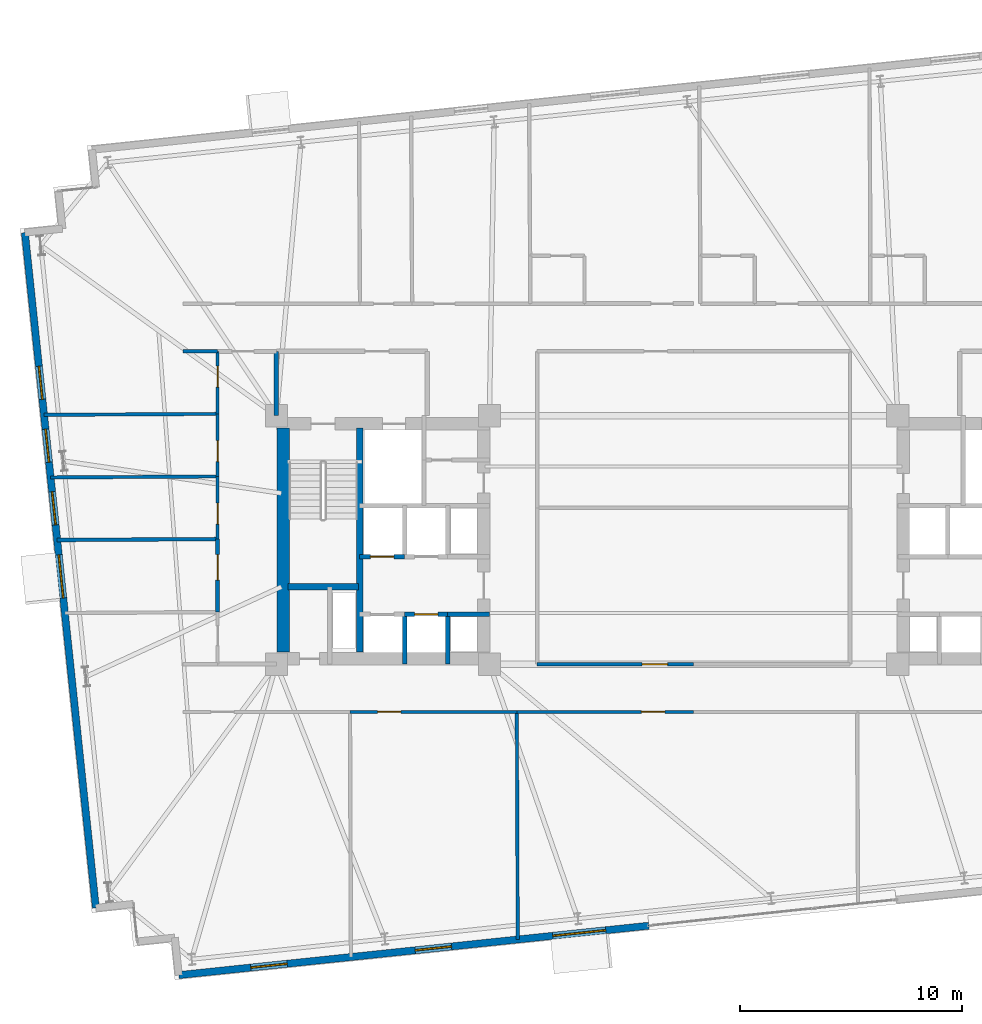
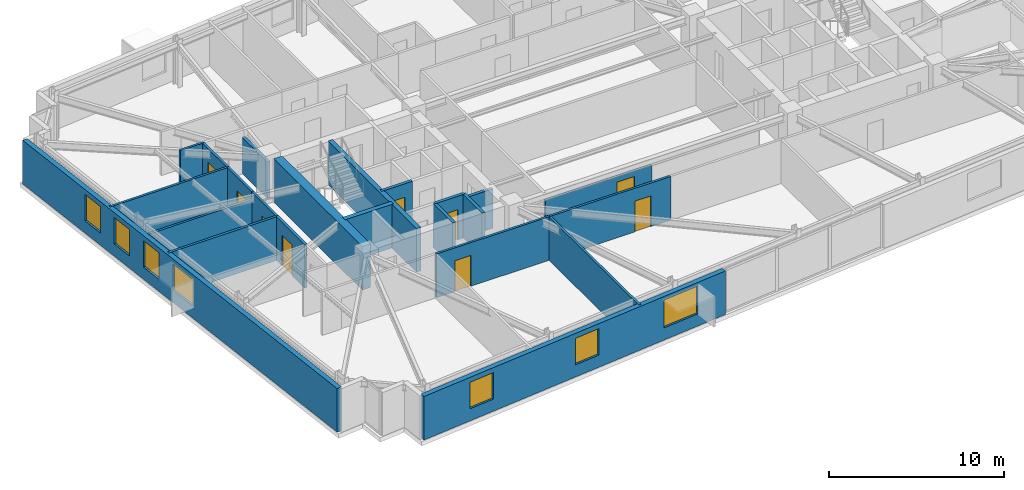
# One storey, part 16 of 23: 23 walls, 9 doors, 7 windows, 16 openings.
"""IFC4 building model written with IfcOpenShell, lengths in metres."""

from ifc_helpers import new_model, si_unit, direction, frame, frame_2d, origin, place, context, subcontext, project, spatial, rectangle, extrude, material, layer, layer_set, type_object, element, fill, save


model = new_model("IFC4")

# Units and contexts
model_context = context("Model", 3, precision=1e-05, world=origin(), true_north=direction((0.0, 1.0)))
body_context = subcontext(model_context, "Body", "Model", "MODEL_VIEW")
ifc_project = project(units=[si_unit("LENGTHUNIT", "METRE"), si_unit("AREAUNIT", "SQUARE_METRE"), si_unit("VOLUMEUNIT", "CUBIC_METRE"), si_unit("PLANEANGLEUNIT", "RADIAN"), si_unit("MASSUNIT", "GRAM", prefix="KILO")], contexts=[model_context])

# Site, building, storey
site_placement = place(None, origin())
site = spatial("IfcSite", under=ifc_project, at=site_placement, CompositionType="ELEMENT")
building_placement = place(site_placement, origin())
building = spatial("IfcBuilding", under=site, at=building_placement, Name="Qobustan Lattice House", CompositionType="ELEMENT")
storey_placement = place(building_placement, frame((0.0, 0.0, 102.449951171875)))
storey = spatial("IfcBuildingStorey", under=building, at=storey_placement, Name="L28", CompositionType="ELEMENT", Elevation=102.449951171875)

# Walls
ifc_material_1 = material(Name="Concrete C60/75", Category="concrete")
ifc_layer_1 = layer(ifc_material_1, 0.56005859375)
ifc_layer_set_1 = layer_set([ifc_layer_1], Name="Concrete C60/75")
wall_type_1 = type_object("IfcWallType", Name="WAL-CORE-600", PredefinedType="SHEAR", material=ifc_layer_set_1)
wall_1_placement = place(storey_placement, frame((-18.489990234375, -5.050048828125, 0.0), z_axis=(0.0, 0.0, 1.0), x_axis=(0.0, 1.0, 0.0)))
element("IfcWall", 1, at=wall_1_placement, inside=storey, type_object=wall_type_1, Name="L28 split-core shear wall CW-W", PredefinedType="SHEAR", context=body_context, shape_type="SweptSolid", body=[
    extrude(rectangle(XDim=10.10009765625, YDim=0.56005859375, at=frame_2d((5.050048828125, 0.0))), origin(), (0.0, 0.0, 1.0), 3.045166015625),
])
ifc_material_2 = material(Name="Concrete C50/60", Category="concrete")
ifc_layer_2 = layer(ifc_material_2, 0.280029296875)
ifc_layer_set_2 = layer_set([ifc_layer_2], Name="Concrete C50/60")
wall_type_2 = type_object("IfcWallType", Name="WAL-CORE-SPINE-280", PredefinedType="SHEAR", material=ifc_layer_set_2)
wall_2_placement = place(storey_placement, frame((-15.050048828125, -5.050048828125, 0.0), z_axis=(0.0, 0.0, 1.0), x_axis=(0.0, 1.0, 0.0)))
element("IfcWall", 2, at=wall_2_placement, inside=storey, type_object=wall_type_2, Name="L28 split-core shear wall CW-M", PredefinedType="SHEAR", context=body_context, shape_type="SweptSolid", body=[
    extrude(rectangle(XDim=10.10009765625, YDim=0.300048828125, at=frame_2d((5.050048828125, 0.0))), origin(), (0.0, 0.0, 1.0), 3.045166015625),
])
wall_3_placement = place(storey_placement, frame((-18.280029296875, -2.110107421875, 0.0), z_axis=(0.0, 0.0, 1.0), x_axis=(1.0, 0.0, 0.0)))
element("IfcWall", 3, at=wall_3_placement, inside=storey, type_object=wall_type_2, Name="L28 split-core shear wall CW-ST", PredefinedType="SHEAR", context=body_context, shape_type="SweptSolid", body=[
    extrude(rectangle(XDim=3.179931640625, YDim=0.300048828125, at=frame_2d((1.58984375, 0.0))), origin(), (0.0, 0.0, 1.0), 3.045166015625),
])

# Wall, openings, windows
ifc_material_3 = material(Name="Precast concrete C40/50", Category="concrete")
ifc_layer_3 = layer(ifc_material_3, 0.320068359375)
ifc_layer_set_3 = layer_set([ifc_layer_3], Name="Precast concrete C40/50")
wall_type_3 = type_object("IfcWallType", Name="WAL-EXT-STONE-320", PredefinedType="SOLIDWALL", material=ifc_layer_set_3)
wall_4_placement = place(storey_placement, frame((-26.934814453125, -16.58349609375, 0.0), z_axis=(0.0, 0.0, 1.0), x_axis=(-0.104524887486, 0.994522271192, 0.0)))
wall_4 = element("IfcWall", 4, at=wall_4_placement, inside=storey, type_object=wall_type_3, Name="L28 exterior limestone-clad wall 5", PredefinedType="SOLIDWALL", context=body_context, shape_type="SweptSolid", body=[
    extrude(rectangle(XDim=30.600341796875, YDim=0.320068359375, at=frame_2d((15.30029296875, 0.0))), origin(), (0.0, 0.0, 1.0), 3.045166015625),
])
opening_1_placement = place(wall_4_placement, frame((14.044677734375, 0.0, 0.85009765625)))
opening_1 = element("IfcOpeningElement", 5, at=opening_1_placement, cuts=wall_4, Name="Opening WN-08", PredefinedType="OPENING", context=body_context, shape_type="SweptSolid", body=[
    extrude(rectangle(XDim=1.949951171875, YDim=1.85009765625, at=frame_2d((0.97509765625, 0.925048828125))), frame((0.0, 0.169921875, 0.0), z_axis=(0.0, -1.0, 0.0), x_axis=(1.0, 0.0, 0.0)), (0.0, 0.0, 1.0), 0.340087890625),
])
opening_2_placement = place(wall_4_placement, frame((17.353759765625, 0.0, 0.85009765625)))
opening_2 = element("IfcOpeningElement", 6, at=opening_2_placement, cuts=wall_4, Name="Opening WN-01", PredefinedType="OPENING", context=body_context, shape_type="SweptSolid", body=[
    extrude(rectangle(XDim=1.5, YDim=1.85009765625, at=frame_2d((0.75, 0.925048828125))), frame((0.0, 0.169921875, 0.0), z_axis=(0.0, -1.0, 0.0), x_axis=(1.0, 0.0, 0.0)), (0.0, 0.0, 1.0), 0.340087890625),
])
opening_3_placement = place(wall_4_placement, frame((20.197509765625, 0.0, 0.85009765625)))
opening_3 = element("IfcOpeningElement", 7, at=opening_3_placement, cuts=wall_4, Name="Opening WN-01", PredefinedType="OPENING", context=body_context, shape_type="SweptSolid", body=[
    extrude(rectangle(XDim=1.5, YDim=1.85009765625, at=frame_2d((0.75, 0.925048828125))), frame((0.0, 0.169921875, 0.0), z_axis=(0.0, -1.0, 0.0), x_axis=(1.0, 0.0, 0.0)), (0.0, 0.0, 1.0), 0.340087890625),
])
opening_4_placement = place(wall_4_placement, frame((23.041015625, 0.0, 0.85009765625)))
opening_4 = element("IfcOpeningElement", 8, at=opening_4_placement, cuts=wall_4, Name="Opening WN-01", PredefinedType="OPENING", context=body_context, shape_type="SweptSolid", body=[
    extrude(rectangle(XDim=1.5, YDim=1.85009765625, at=frame_2d((0.75, 0.925048828125))), frame((0.0, 0.169921875, 0.0), z_axis=(0.0, -1.0, 0.0), x_axis=(1.0, 0.0, 0.0)), (0.0, 0.0, 1.0), 0.340087890625),
])
ifc_material_4 = material(Name="Double-glazed low-E aluminium window", Category="aluminium")
window_type_1 = type_object("IfcWindowType", Name="WIN-BED-1500x1850", PartitioningType="SINGLE_PANEL", PredefinedType="WINDOW", material=ifc_material_4)
window_1_placement = place(opening_2_placement, origin())
window_1 = element("IfcWindow", 9, at=window_1_placement, inside=storey, type_object=window_type_1, Name="L28 Cluster bedroom L28W1 window", OverallHeight=1.85009765625, OverallWidth=1.5, PartitioningType="SINGLE_PANEL", PredefinedType="WINDOW", context=body_context, shape_type="SweptSolid", body=[
    extrude(rectangle(XDim=1.5, YDim=1.85009765625, at=frame_2d((0.75, 0.925048828125))), frame((0.0, 0.030029296875, 0.0), z_axis=(0.0, -1.0, 0.0), x_axis=(1.0, 0.0, 0.0)), (0.0, 0.0, 1.0), 0.06005859375),
])
fill(opening_2, window_1)
window_2_placement = place(opening_3_placement, origin())
window_2 = element("IfcWindow", 10, at=window_2_placement, inside=storey, type_object=window_type_1, Name="L28 Cluster bedroom L28W2 window", OverallHeight=1.85009765625, OverallWidth=1.5, PartitioningType="SINGLE_PANEL", PredefinedType="WINDOW", context=body_context, shape_type="SweptSolid", body=[
    extrude(rectangle(XDim=1.5, YDim=1.85009765625, at=frame_2d((0.75, 0.925048828125))), frame((0.0, 0.030029296875, 0.0), z_axis=(0.0, -1.0, 0.0), x_axis=(1.0, 0.0, 0.0)), (0.0, 0.0, 1.0), 0.06005859375),
])
fill(opening_3, window_2)
window_3_placement = place(opening_4_placement, origin())
window_3 = element("IfcWindow", 11, at=window_3_placement, inside=storey, type_object=window_type_1, Name="L28 Cluster bedroom L28W3 window", OverallHeight=1.85009765625, OverallWidth=1.5, PartitioningType="SINGLE_PANEL", PredefinedType="WINDOW", context=body_context, shape_type="SweptSolid", body=[
    extrude(rectangle(XDim=1.5, YDim=1.85009765625, at=frame_2d((0.75, 0.925048828125))), frame((0.0, 0.030029296875, 0.0), z_axis=(0.0, -1.0, 0.0), x_axis=(1.0, 0.0, 0.0)), (0.0, 0.0, 1.0), 0.06005859375),
])
fill(opening_4, window_3)
ifc_material_5 = material(Name="Double-glazed low-E aluminium window", Category="aluminium")
window_type_2 = type_object("IfcWindowType", Name="WIN-KIT-1950x1850", PartitioningType="SINGLE_PANEL", PredefinedType="WINDOW", material=ifc_material_5)
window_4_placement = place(opening_1_placement, origin())
window_4 = element("IfcWindow", 12, at=window_4_placement, inside=storey, type_object=window_type_2, Name="L28 Shared kitchen L28W window", OverallHeight=1.85009765625, OverallWidth=1.949951171875, PartitioningType="SINGLE_PANEL", PredefinedType="WINDOW", context=body_context, shape_type="SweptSolid", body=[
    extrude(rectangle(XDim=1.949951171875, YDim=1.85009765625, at=frame_2d((0.97509765625, 0.925048828125))), frame((0.0, 0.030029296875, 0.0), z_axis=(0.0, -1.0, 0.0), x_axis=(1.0, 0.0, 0.0)), (0.0, 0.0, 1.0), 0.06005859375),
])
fill(opening_1, window_4)

wall_5_placement = place(storey_placement, frame((-2.0146484375, -17.3828125, 0.0), z_axis=(0.0, 0.0, 1.0), x_axis=(-0.994521393935, -0.104533233979, 0.0)))
wall_5 = element("IfcWall", 13, at=wall_5_placement, inside=storey, type_object=wall_type_3, Name="L28 iwan flank stone wall B", PredefinedType="SOLIDWALL", context=body_context, shape_type="SweptSolid", body=[
    extrude(rectangle(XDim=21.300048828125, YDim=0.320068359375, at=frame_2d((10.64990234375, 0.0))), origin(), (0.0, 0.0, 1.0), 3.045166015625),
])
opening_5_placement = place(wall_5_placement, frame((1.952880859375, 0.0, 0.85009765625)))
opening_5 = element("IfcOpeningElement", 14, at=opening_5_placement, cuts=wall_5, Name="Opening WN-10", PredefinedType="OPENING", context=body_context, shape_type="SweptSolid", body=[
    extrude(rectangle(XDim=2.39990234375, YDim=1.949951171875, at=frame_2d((1.199951171875, 0.97509765625))), frame((0.0, 0.169921875, 0.0), z_axis=(0.0, -1.0, 0.0), x_axis=(1.0, 0.0, 0.0)), (0.0, 0.0, 1.0), 0.340087890625),
])
opening_6_placement = place(wall_5_placement, frame((8.944091796875, 0.0, 0.85009765625)))
opening_6 = element("IfcOpeningElement", 15, at=opening_6_placement, cuts=wall_5, Name="Opening WN-09", PredefinedType="OPENING", context=body_context, shape_type="SweptSolid", body=[
    extrude(rectangle(XDim=1.64990234375, YDim=1.85009765625, at=frame_2d((0.824951171875, 0.925048828125))), frame((0.0, 0.169921875, 0.0), z_axis=(0.0, -1.0, 0.0), x_axis=(1.0, 0.0, 0.0)), (0.0, 0.0, 1.0), 0.340087890625),
])
opening_7_placement = place(wall_5_placement, frame((16.39111328125, 0.0, 0.85009765625)))
opening_7 = element("IfcOpeningElement", 16, at=opening_7_placement, cuts=wall_5, Name="Opening WN-09", PredefinedType="OPENING", context=body_context, shape_type="SweptSolid", body=[
    extrude(rectangle(XDim=1.64990234375, YDim=1.85009765625, at=frame_2d((0.824951171875, 0.925048828125))), frame((0.0, 0.169921875, 0.0), z_axis=(0.0, -1.0, 0.0), x_axis=(1.0, 0.0, 0.0)), (0.0, 0.0, 1.0), 0.340087890625),
])
ifc_material_6 = material(Name="Double-glazed low-E aluminium window", Category="aluminium")
window_type_3 = type_object("IfcWindowType", Name="WIN-LNG-2400x1950", PartitioningType="SINGLE_PANEL", PredefinedType="WINDOW", material=ifc_material_6)
window_5_placement = place(opening_5_placement, origin())
window_5 = element("IfcWindow", 17, at=window_5_placement, inside=storey, type_object=window_type_3, Name="L28 Walnut iwan sky lounge S2 window", OverallHeight=1.949951171875, OverallWidth=2.39990234375, PartitioningType="SINGLE_PANEL", PredefinedType="WINDOW", context=body_context, shape_type="SweptSolid", body=[
    extrude(rectangle(XDim=2.39990234375, YDim=1.949951171875, at=frame_2d((1.199951171875, 0.97509765625))), frame((0.0, 0.030029296875, 0.0), z_axis=(0.0, -1.0, 0.0), x_axis=(1.0, 0.0, 0.0)), (0.0, 0.0, 1.0), 0.06005859375),
])
fill(opening_5, window_5)
ifc_material_7 = material(Name="Double-glazed low-E aluminium window", Category="aluminium")
window_type_4 = type_object("IfcWindowType", Name="WIN-STU-1650x1850", PartitioningType="SINGLE_PANEL", PredefinedType="WINDOW", material=ifc_material_7)
window_6_placement = place(opening_6_placement, origin())
window_6 = element("IfcWindow", 18, at=window_6_placement, inside=storey, type_object=window_type_4, Name="L28 Focus study room S1B window", OverallHeight=1.85009765625, OverallWidth=1.64990234375, PartitioningType="SINGLE_PANEL", PredefinedType="WINDOW", context=body_context, shape_type="SweptSolid", body=[
    extrude(rectangle(XDim=1.64990234375, YDim=1.85009765625, at=frame_2d((0.824951171875, 0.925048828125))), frame((0.0, 0.030029296875, 0.0), z_axis=(0.0, -1.0, 0.0), x_axis=(1.0, 0.0, 0.0)), (0.0, 0.0, 1.0), 0.06005859375),
])
fill(opening_6, window_6)
window_7_placement = place(opening_7_placement, origin())
window_7 = element("IfcWindow", 19, at=window_7_placement, inside=storey, type_object=window_type_4, Name="L28 Focus study room S1A window", OverallHeight=1.85009765625, OverallWidth=1.64990234375, PartitioningType="SINGLE_PANEL", PredefinedType="WINDOW", context=body_context, shape_type="SweptSolid", body=[
    extrude(rectangle(XDim=1.64990234375, YDim=1.85009765625, at=frame_2d((0.824951171875, 0.925048828125))), frame((0.0, 0.030029296875, 0.0), z_axis=(0.0, -1.0, 0.0), x_axis=(1.0, 0.0, 0.0)), (0.0, 0.0, 1.0), 0.06005859375),
])
fill(opening_7, window_7)

# Wall
ifc_material_8 = material(Name="Acoustic twin-stud gypsum partition", Category="gypsum")
ifc_layer_4 = layer(ifc_material_8, 0.14990234375)
ifc_layer_set_4 = layer_set([ifc_layer_4], Name="Acoustic twin-stud gypsum partition")
wall_type_4 = type_object("IfcWallType", Name="WAL-PART-150", PredefinedType="PARTITIONING", material=ifc_layer_set_4)
wall_6_placement = place(storey_placement, frame((-21.449951171875, 8.5, 0.0), z_axis=(0.0, 0.0, 1.0), x_axis=(-1.0, 0.0, 0.0)))
element("IfcWall", 20, at=wall_6_placement, inside=storey, type_object=wall_type_4, Name="L28 interior partition 38", PredefinedType="PARTITIONING", context=body_context, shape_type="SweptSolid", body=[
    extrude(rectangle(XDim=1.550048828125, YDim=0.14990234375, at=frame_2d((0.77490234375, 0.0))), origin(), (0.0, 0.0, 1.0), 3.045166015625),
])

# Wall, opening, door
wall_7_placement = place(storey_placement, frame((-7.967041015625, -7.75, 0.0), z_axis=(0.0, 0.0, 1.0), x_axis=(-1.0, 0.0, 0.0)))
wall_7 = element("IfcWall", 21, at=wall_7_placement, inside=storey, type_object=wall_type_4, Name="L28 interior partition 57", PredefinedType="PARTITIONING", context=body_context, shape_type="SweptSolid", body=[
    extrude(rectangle(XDim=7.516357421875, YDim=0.14990234375, at=frame_2d((3.75830078125, 0.0))), origin(), (0.0, 0.0, 1.0), 3.045166015625),
])
opening_8_placement = place(wall_7_placement, frame((5.22314453125, 0.0, 0.0)))
opening_8 = element("IfcOpeningElement", 22, at=opening_8_placement, cuts=wall_7, Name="Opening ID-02", PredefinedType="OPENING", context=body_context, shape_type="SweptSolid", body=[
    extrude(rectangle(XDim=1.050048828125, YDim=2.14990234375, at=frame_2d((0.52490234375, 1.074951171875))), frame((0.0, 0.0849609375, 0.0), z_axis=(0.0, -1.0, 0.0), x_axis=(1.0, 0.0, 0.0)), (0.0, 0.0, 1.0), 0.169921875),
])
ifc_material_9 = material(Name="Persian walnut timber and steel frame door", Category="steel")
door_type_1 = type_object("IfcDoorType", Name="DOR-STUDY-1050x2150", OperationType="NOTDEFINED", PredefinedType="DOOR", material=ifc_material_9)
door_1_placement = place(opening_8_placement, origin())
door_1 = element("IfcDoor", 23, at=door_1_placement, inside=storey, type_object=door_type_1, Name="L28 South-west floor corridor to Focus study room S1B door", OperationType="SINGLE_SWING_RIGHT", OverallHeight=2.14990234375, OverallWidth=1.050048828125, PredefinedType="DOOR", context=body_context, shape_type="SweptSolid", body=[
    extrude(rectangle(XDim=1.050048828125, YDim=2.14990234375, at=frame_2d((0.52490234375, 1.074951171875))), frame((0.0, 0.02490234375, 0.0), z_axis=(0.0, -1.0, 0.0), x_axis=(1.0, 0.0, 0.0)), (0.0, 0.0, 1.0), 0.050048828125),
])
fill(opening_8, door_1)

wall_8_placement = place(storey_placement, frame((0.0, -7.75, 0.0), z_axis=(0.0, 0.0, 1.0), x_axis=(-1.0, 0.0, 0.0)))
wall_8 = element("IfcWall", 24, at=wall_8_placement, inside=storey, type_object=wall_type_4, Name="L28 interior partition 58", PredefinedType="PARTITIONING", context=body_context, shape_type="SweptSolid", body=[
    extrude(rectangle(XDim=7.967041015625, YDim=0.14990234375, at=frame_2d((3.9833984375, 0.0))), origin(), (0.0, 0.0, 1.0), 3.045166015625),
])
opening_9_placement = place(wall_8_placement, frame((1.299560546875, 0.0, 0.0)))
opening_9 = element("IfcOpeningElement", 25, at=opening_9_placement, cuts=wall_8, Name="Opening ID-02", PredefinedType="OPENING", context=body_context, shape_type="SweptSolid", body=[
    extrude(rectangle(XDim=1.050048828125, YDim=2.14990234375, at=frame_2d((0.52490234375, 1.074951171875))), frame((0.0, 0.0849609375, 0.0), z_axis=(0.0, -1.0, 0.0), x_axis=(1.0, 0.0, 0.0)), (0.0, 0.0, 1.0), 0.169921875),
])
door_2_placement = place(opening_9_placement, origin())
door_2 = element("IfcDoor", 26, at=door_2_placement, inside=storey, type_object=door_type_1, Name="L28 South-west floor corridor to Walnut iwan sky lounge S2 door", OperationType="SINGLE_SWING_LEFT", OverallHeight=2.14990234375, OverallWidth=1.050048828125, PredefinedType="DOOR", context=body_context, shape_type="SweptSolid", body=[
    extrude(rectangle(XDim=1.050048828125, YDim=2.14990234375, at=frame_2d((0.52490234375, 1.074951171875))), frame((0.0, 0.02490234375, 0.0), z_axis=(0.0, -1.0, 0.0), x_axis=(1.0, 0.0, 0.0)), (0.0, 0.0, 1.0), 0.050048828125),
])
fill(opening_9, door_2)

wall_9_placement = place(storey_placement, frame((-21.449951171875, 0.0400390625, 0.0), z_axis=(0.0, 0.0, 1.0), x_axis=(0.0, 1.0, 0.0)))
wall_9 = element("IfcWall", 27, at=wall_9_placement, inside=storey, type_object=wall_type_4, Name="L28 interior partition 71", PredefinedType="PARTITIONING", context=body_context, shape_type="SweptSolid", body=[
    extrude(rectangle(XDim=2.820068359375, YDim=0.14990234375, at=frame_2d((1.41015625, 0.0))), origin(), (0.0, 0.0, 1.0), 3.045166015625),
])
opening_10_placement = place(wall_9_placement, frame((0.668701171875, 0.0, 0.0)))
opening_10 = element("IfcOpeningElement", 28, at=opening_10_placement, cuts=wall_9, Name="Opening ID-01", PredefinedType="OPENING", context=body_context, shape_type="SweptSolid", body=[
    extrude(rectangle(XDim=0.949951171875, YDim=2.10009765625, at=frame_2d((0.47509765625, 1.050048828125))), frame((0.0, 0.0849609375, 0.0), z_axis=(0.0, -1.0, 0.0), x_axis=(1.0, 0.0, 0.0)), (0.0, 0.0, 1.0), 0.169921875),
])
ifc_material_10 = material(Name="Persian walnut timber and steel frame door", Category="steel")
door_type_2 = type_object("IfcDoorType", Name="DOR-ROOM-950x2100", OperationType="NOTDEFINED", PredefinedType="DOOR", material=ifc_material_10)
door_3_placement = place(opening_10_placement, origin())
door_3 = element("IfcDoor", 29, at=door_3_placement, inside=storey, type_object=door_type_2, Name="L28 Residence entrance hall L28W to Cluster bedroom L28W1 door", OperationType="SINGLE_SWING_LEFT", OverallHeight=2.10009765625, OverallWidth=0.949951171875, PredefinedType="DOOR", context=body_context, shape_type="SweptSolid", body=[
    extrude(rectangle(XDim=0.949951171875, YDim=2.10009765625, at=frame_2d((0.47509765625, 1.050048828125))), frame((0.0, 0.02490234375, 0.0), z_axis=(0.0, -1.0, 0.0), x_axis=(1.0, 0.0, 0.0)), (0.0, 0.0, 1.0), 0.050048828125),
])
fill(opening_10, door_3)

wall_10_placement = place(storey_placement, frame((-21.449951171875, 2.860107421875, 0.0), z_axis=(0.0, 0.0, 1.0), x_axis=(0.0, 1.0, 0.0)))
wall_10 = element("IfcWall", 30, at=wall_10_placement, inside=storey, type_object=wall_type_4, Name="L28 interior partition 72", PredefinedType="PARTITIONING", context=body_context, shape_type="SweptSolid", body=[
    extrude(rectangle(XDim=2.81982421875, YDim=0.14990234375, at=frame_2d((1.409912109375, 0.0))), origin(), (0.0, 0.0, 1.0), 3.045166015625),
])
opening_11_placement = place(wall_10_placement, frame((0.668701171875, 0.0, 0.0)))
opening_11 = element("IfcOpeningElement", 31, at=opening_11_placement, cuts=wall_10, Name="Opening ID-01", PredefinedType="OPENING", context=body_context, shape_type="SweptSolid", body=[
    extrude(rectangle(XDim=0.949951171875, YDim=2.10009765625, at=frame_2d((0.47509765625, 1.050048828125))), frame((0.0, 0.0849609375, 0.0), z_axis=(0.0, -1.0, 0.0), x_axis=(1.0, 0.0, 0.0)), (0.0, 0.0, 1.0), 0.169921875),
])
door_4_placement = place(opening_11_placement, origin())
door_4 = element("IfcDoor", 32, at=door_4_placement, inside=storey, type_object=door_type_2, Name="L28 Residence entrance hall L28W to Cluster bedroom L28W2 door", OperationType="SINGLE_SWING_RIGHT", OverallHeight=2.10009765625, OverallWidth=0.949951171875, PredefinedType="DOOR", context=body_context, shape_type="SweptSolid", body=[
    extrude(rectangle(XDim=0.949951171875, YDim=2.10009765625, at=frame_2d((0.47509765625, 1.050048828125))), frame((0.0, 0.02490234375, 0.0), z_axis=(0.0, -1.0, 0.0), x_axis=(1.0, 0.0, 0.0)), (0.0, 0.0, 1.0), 0.050048828125),
])
fill(opening_11, door_4)

wall_11_placement = place(storey_placement, frame((-21.449951171875, 5.679931640625, 0.0), z_axis=(0.0, 0.0, 1.0), x_axis=(0.0, 1.0, 0.0)))
wall_11 = element("IfcWall", 33, at=wall_11_placement, inside=storey, type_object=wall_type_4, Name="L28 interior partition 73", PredefinedType="PARTITIONING", context=body_context, shape_type="SweptSolid", body=[
    extrude(rectangle(XDim=2.820068359375, YDim=0.14990234375, at=frame_2d((1.41015625, 0.0))), origin(), (0.0, 0.0, 1.0), 3.045166015625),
])
opening_12_placement = place(wall_11_placement, frame((1.201171875, 0.0, 0.0)))
opening_12 = element("IfcOpeningElement", 34, at=opening_12_placement, cuts=wall_11, Name="Opening ID-01", PredefinedType="OPENING", context=body_context, shape_type="SweptSolid", body=[
    extrude(rectangle(XDim=0.949951171875, YDim=2.10009765625, at=frame_2d((0.47509765625, 1.050048828125))), frame((0.0, 0.0849609375, 0.0), z_axis=(0.0, -1.0, 0.0), x_axis=(1.0, 0.0, 0.0)), (0.0, 0.0, 1.0), 0.169921875),
])
door_5_placement = place(opening_12_placement, origin())
door_5 = element("IfcDoor", 35, at=door_5_placement, inside=storey, type_object=door_type_2, Name="L28 Residence entrance hall L28W to Cluster bedroom L28W3 door", OperationType="SINGLE_SWING_LEFT", OverallHeight=2.10009765625, OverallWidth=0.949951171875, PredefinedType="DOOR", context=body_context, shape_type="SweptSolid", body=[
    extrude(rectangle(XDim=0.949951171875, YDim=2.10009765625, at=frame_2d((0.47509765625, 1.050048828125))), frame((0.0, 0.02490234375, 0.0), z_axis=(0.0, -1.0, 0.0), x_axis=(1.0, 0.0, 0.0)), (0.0, 0.0, 1.0), 0.050048828125),
])
fill(opening_12, door_5)

# Walls
wall_12_placement = place(storey_placement, frame((-28.9736328125, 2.816162109375, 0.0), z_axis=(0.0, 0.0, 1.0), x_axis=(0.999982942193, 0.00584083232, 0.0)))
element("IfcWall", 36, at=wall_12_placement, inside=storey, type_object=wall_type_4, Name="L28 interior partition 76", PredefinedType="PARTITIONING", context=body_context, shape_type="SweptSolid", body=[
    extrude(rectangle(XDim=7.52392578125, YDim=0.14990234375, at=frame_2d((3.761962890625, 0.0))), origin(), (0.0, 0.0, 1.0), 2.530029296875),
])
wall_13_placement = place(storey_placement, frame((-29.27001953125, 5.635986328125, 0.0), z_axis=(0.0, 0.0, 1.0), x_axis=(0.999984210669, 0.005619467326, 0.0)))
element("IfcWall", 37, at=wall_13_placement, inside=storey, type_object=wall_type_4, Name="L28 interior partition 77", PredefinedType="PARTITIONING", context=body_context, shape_type="SweptSolid", body=[
    extrude(rectangle(XDim=7.8203125, YDim=0.14990234375, at=frame_2d((3.91015625, 0.0))), origin(), (0.0, 0.0, 1.0), 3.045166015625),
])
wall_14_placement = place(storey_placement, frame((-7.967041015625, -7.75, 0.0), z_axis=(0.0, 0.0, 1.0), x_axis=(0.004285674928, -0.999990816453, 0.0)))
element("IfcWall", 38, at=wall_14_placement, inside=storey, type_object=wall_type_4, Name="L28 interior partition 106", PredefinedType="PARTITIONING", context=body_context, shape_type="SweptSolid", body=[
    extrude(rectangle(XDim=10.25390625, YDim=0.14990234375, at=frame_2d((5.126953125, 0.0))), origin(), (0.0, 0.0, 1.0), 3.045166015625),
])

# Wall, opening, door
ifc_material_11 = material(Name="High-mass acoustic twin-stud partition", Category="gypsum")
ifc_layer_5 = layer(ifc_material_11, 0.1650390625)
ifc_layer_set_5 = layer_set([ifc_layer_5], Name="High-mass acoustic twin-stud partition")
wall_type_5 = type_object("IfcWallType", Name="WAL-PART-165", PredefinedType="PARTITIONING", material=ifc_layer_set_5)
wall_15_placement = place(storey_placement, frame((-7.050048828125, -5.60009765625, 0.0), z_axis=(0.0, 0.0, 1.0), x_axis=(1.0, 0.0, 0.0)))
wall_15 = element("IfcWall", 39, at=wall_15_placement, inside=storey, type_object=wall_type_5, Name="L28 interior partition 59", PredefinedType="PARTITIONING", context=body_context, shape_type="SweptSolid", body=[
    extrude(rectangle(XDim=7.050048828125, YDim=0.1650390625, at=frame_2d((3.52490234375, 0.0))), origin(), (0.0, 0.0, 1.0), 2.530029296875),
])
opening_13_placement = place(wall_15_placement, frame((4.7275390625, 0.0, 0.0)))
opening_13 = element("IfcOpeningElement", 40, at=opening_13_placement, cuts=wall_15, Name="Opening ID-03", PredefinedType="OPENING", context=body_context, shape_type="SweptSolid", body=[
    extrude(rectangle(XDim=1.14990234375, YDim=2.14990234375, at=frame_2d((0.574951171875, 1.074951171875))), frame((0.0, 0.092529296875, 0.0), z_axis=(0.0, -1.0, 0.0), x_axis=(1.0, 0.0, 0.0)), (0.0, 0.0, 1.0), 0.18505859375),
])
ifc_material_12 = material(Name="Persian walnut timber and steel frame door", Category="steel")
door_type_3 = type_object("IfcDoorType", Name="DOR-KITCH-1150x2150", OperationType="NOTDEFINED", PredefinedType="DOOR", material=ifc_material_12)
door_6_placement = place(opening_13_placement, origin())
door_6 = element("IfcDoor", 41, at=door_6_placement, inside=storey, type_object=door_type_3, Name="L28 South-west floor corridor to Communal dining kitchen door", OperationType="SINGLE_SWING_RIGHT", OverallHeight=2.14990234375, OverallWidth=1.14990234375, PredefinedType="DOOR", context=body_context, shape_type="SweptSolid", body=[
    extrude(rectangle(XDim=1.14990234375, YDim=2.14990234375, at=frame_2d((0.574951171875, 1.074951171875))), frame((0.0, 0.02490234375, 0.0), z_axis=(0.0, -1.0, 0.0), x_axis=(1.0, 0.0, 0.0)), (0.0, 0.0, 1.0), 0.050048828125),
])
fill(opening_13, door_6)

wall_16_placement = place(storey_placement, frame((-21.449951171875, -3.25, 0.0), z_axis=(0.0, 0.0, 1.0), x_axis=(0.0, 1.0, 0.0)))
wall_16 = element("IfcWall", 42, at=wall_16_placement, inside=storey, type_object=wall_type_5, Name="L28 interior partition 70", PredefinedType="PARTITIONING", context=body_context, shape_type="SweptSolid", body=[
    extrude(rectangle(XDim=3.2900390625, YDim=0.1650390625, at=frame_2d((1.64501953125, 0.0))), origin(), (0.0, 0.0, 1.0), 3.045166015625),
])
opening_14_placement = place(wall_16_placement, frame((1.4375, 0.0, 0.0)))
opening_14 = element("IfcOpeningElement", 43, at=opening_14_placement, cuts=wall_16, Name="Opening ID-03", PredefinedType="OPENING", context=body_context, shape_type="SweptSolid", body=[
    extrude(rectangle(XDim=1.14990234375, YDim=2.14990234375, at=frame_2d((0.574951171875, 1.074951171875))), frame((0.0, 0.092529296875, 0.0), z_axis=(0.0, -1.0, 0.0), x_axis=(1.0, 0.0, 0.0)), (0.0, 0.0, 1.0), 0.18505859375),
])
door_7_placement = place(opening_14_placement, origin())
door_7 = element("IfcDoor", 44, at=door_7_placement, inside=storey, type_object=door_type_3, Name="L28 Residence entrance hall L28W to Shared kitchen L28W door", OperationType="SINGLE_SWING_RIGHT", OverallHeight=2.14990234375, OverallWidth=1.14990234375, PredefinedType="DOOR", context=body_context, shape_type="SweptSolid", body=[
    extrude(rectangle(XDim=1.14990234375, YDim=2.14990234375, at=frame_2d((0.574951171875, 1.074951171875))), frame((0.0, 0.02490234375, 0.0), z_axis=(0.0, -1.0, 0.0), x_axis=(1.0, 0.0, 0.0)), (0.0, 0.0, 1.0), 0.050048828125),
])
fill(opening_14, door_7)

# Walls
wall_17_placement = place(storey_placement, frame((-28.67724609375, -0.00390625, 0.0), z_axis=(0.0, 0.0, 1.0), x_axis=(0.999981514486, 0.006080352417, 0.0)))
element("IfcWall", 45, at=wall_17_placement, inside=storey, type_object=wall_type_5, Name="L28 interior partition 75", PredefinedType="PARTITIONING", context=body_context, shape_type="SweptSolid", body=[
    extrude(rectangle(XDim=7.2275390625, YDim=0.1650390625, at=frame_2d((3.61376953125, 0.0))), origin(), (0.0, 0.0, 1.0), 3.045166015625),
])
ifc_material_13 = material(Name="Two-hour gypsum fireboard acoustic partition", Category="gypsum")
ifc_layer_6 = layer(ifc_material_13, 0.199951171875)
ifc_layer_set_6 = layer_set([ifc_layer_6], Name="Two-hour gypsum fireboard acoustic partition")
wall_type_6 = type_object("IfcWallType", Name="WAL-PROT-200", PredefinedType="PARTITIONING", material=ifc_layer_set_6)
wall_18_placement = place(storey_placement, frame((-18.800048828125, 8.5, 0.0), z_axis=(0.0, 0.0, 1.0), x_axis=(0.0, -1.0, 0.0)))
element("IfcWall", 46, at=wall_18_placement, inside=storey, type_object=wall_type_6, Name="L28 interior partition 6", PredefinedType="PARTITIONING", context=body_context, shape_type="SweptSolid", body=[
    extrude(rectangle(XDim=2.89990234375, YDim=0.199951171875, at=frame_2d((1.449951171875, 0.0))), origin(), (0.0, 0.0, 1.0), 2.530029296875),
])

# Wall, opening, door
ifc_material_14 = material(Name="Concrete C40/50", Category="concrete")
ifc_layer_7 = layer(ifc_material_14, 0.199951171875)
ifc_layer_set_7 = layer_set([ifc_layer_7], Name="Concrete C40/50")
wall_type_7 = type_object("IfcWallType", Name="WAL-SHAFT-200", PredefinedType="PARTITIONING", material=ifc_layer_set_7)
wall_19_placement = place(storey_placement, frame((-13.02001953125, -3.35009765625, 0.0), z_axis=(0.0, 0.0, 1.0), x_axis=(1.0, 0.0, 0.0)))
wall_19 = element("IfcWall", 47, at=wall_19_placement, inside=storey, type_object=wall_type_7, Name="L28 interior partition 10", PredefinedType="PARTITIONING", context=body_context, shape_type="SweptSolid", body=[
    extrude(rectangle(XDim=1.93994140625, YDim=0.199951171875, at=frame_2d((0.969970703125, 0.0))), origin(), (0.0, 0.0, 1.0), 3.045166015625),
])
opening_15_placement = place(wall_19_placement, frame((0.445068359375, 0.0, 0.0)))
opening_15 = element("IfcOpeningElement", 48, at=opening_15_placement, cuts=wall_19, Name="Opening LD-01", PredefinedType="OPENING", context=body_context, shape_type="SweptSolid", body=[
    extrude(rectangle(XDim=1.050048828125, YDim=2.10009765625, at=frame_2d((0.52490234375, 1.050048828125))), frame((0.0, 0.10986328125, 0.0), z_axis=(0.0, -1.0, 0.0), x_axis=(1.0, 0.0, 0.0)), (0.0, 0.0, 1.0), 0.219970703125),
])
ifc_material_15 = material(Name="Persian walnut timber and steel frame door", Category="steel")
door_type_4 = type_object("IfcDoorType", Name="DOR-LIFT-LD-1050x2100", OperationType="NOTDEFINED", PredefinedType="DOOR", material=ifc_material_15)
door_8_placement = place(opening_15_placement, origin())
door_8 = element("IfcDoor", 49, at=door_8_placement, inside=storey, type_object=door_type_4, Name="L28 lift landing door", OperationType="DOUBLE_DOOR_SLIDING", OverallHeight=2.10009765625, OverallWidth=1.050048828125, PredefinedType="DOOR", context=body_context, shape_type="SweptSolid", body=[
    extrude(rectangle(XDim=1.050048828125, YDim=2.10009765625, at=frame_2d((0.52490234375, 1.050048828125))), frame((0.0, 0.02490234375, 0.0), z_axis=(0.0, -1.0, 0.0), x_axis=(1.0, 0.0, 0.0)), (0.0, 0.0, 1.0), 0.050048828125),
])
fill(opening_15, door_8)

# Wall
wall_20_placement = place(storey_placement, frame((-11.080078125, -3.35009765625, 0.0), z_axis=(0.0, 0.0, 1.0), x_axis=(1.0, 0.0, 0.0)))
element("IfcWall", 50, at=wall_20_placement, inside=storey, type_object=wall_type_7, Name="L28 interior partition 11", PredefinedType="PARTITIONING", context=body_context, shape_type="SweptSolid", body=[
    extrude(rectangle(XDim=1.880126953125, YDim=0.199951171875, at=frame_2d((0.93994140625, 0.0))), origin(), (0.0, 0.0, 1.0), 2.760009765625),
])

# Wall, opening, door
wall_21_placement = place(storey_placement, frame((-13.02001953125, -0.75, 0.0), z_axis=(0.0, 0.0, 1.0), x_axis=(-1.0, 0.0, 0.0)))
wall_21 = element("IfcWall", 51, at=wall_21_placement, inside=storey, type_object=wall_type_7, Name="L28 interior partition 12", PredefinedType="PARTITIONING", context=body_context, shape_type="SweptSolid", body=[
    extrude(rectangle(XDim=2.030029296875, YDim=0.199951171875, at=frame_2d((1.01513671875, 0.0))), origin(), (0.0, 0.0, 1.0), 3.045166015625),
])
opening_16_placement = place(wall_21_placement, frame((0.489990234375, 0.0, 0.0)))
opening_16 = element("IfcOpeningElement", 52, at=opening_16_placement, cuts=wall_21, Name="Opening LD-01", PredefinedType="OPENING", context=body_context, shape_type="SweptSolid", body=[
    extrude(rectangle(XDim=1.050048828125, YDim=2.10009765625, at=frame_2d((0.52490234375, 1.050048828125))), frame((0.0, 0.10986328125, 0.0), z_axis=(0.0, -1.0, 0.0), x_axis=(1.0, 0.0, 0.0)), (0.0, 0.0, 1.0), 0.219970703125),
])
door_9_placement = place(opening_16_placement, origin())
door_9 = element("IfcDoor", 53, at=door_9_placement, inside=storey, type_object=door_type_4, Name="L28 lift landing door", OperationType="DOUBLE_DOOR_SLIDING", OverallHeight=2.10009765625, OverallWidth=1.050048828125, PredefinedType="DOOR", context=body_context, shape_type="SweptSolid", body=[
    extrude(rectangle(XDim=1.050048828125, YDim=2.10009765625, at=frame_2d((0.52490234375, 1.050048828125))), frame((0.0, 0.02490234375, 0.0), z_axis=(0.0, -1.0, 0.0), x_axis=(1.0, 0.0, 0.0)), (0.0, 0.0, 1.0), 0.050048828125),
])
fill(opening_16, door_9)

# Walls
for number, where, z_axis, x_axis, name in (
    (54, (-13.02001953125, -5.60009765625, 0.0), (0.0, 0.0, 1.0), (0.0, 1.0, 0.0), "L28 interior partition 16"),
    (55, (-11.080078125, -5.60009765625, 0.0), (0.0, 0.0, 1.0), (0.0, 1.0, 0.0), "L28 interior partition 17"),
):
    element("IfcWall", number, at=place(storey_placement, frame(where, z_axis=z_axis, x_axis=x_axis)), inside=storey, type_object=wall_type_7, Name=name, PredefinedType="PARTITIONING", context=body_context, shape_type="SweptSolid", body=[
        extrude(rectangle(XDim=2.25, YDim=0.199951171875, at=frame_2d((1.125, 0.0))), origin(), (0.0, 0.0, 1.0), 3.045166015625),
    ])

save(model, "model.ifc")
